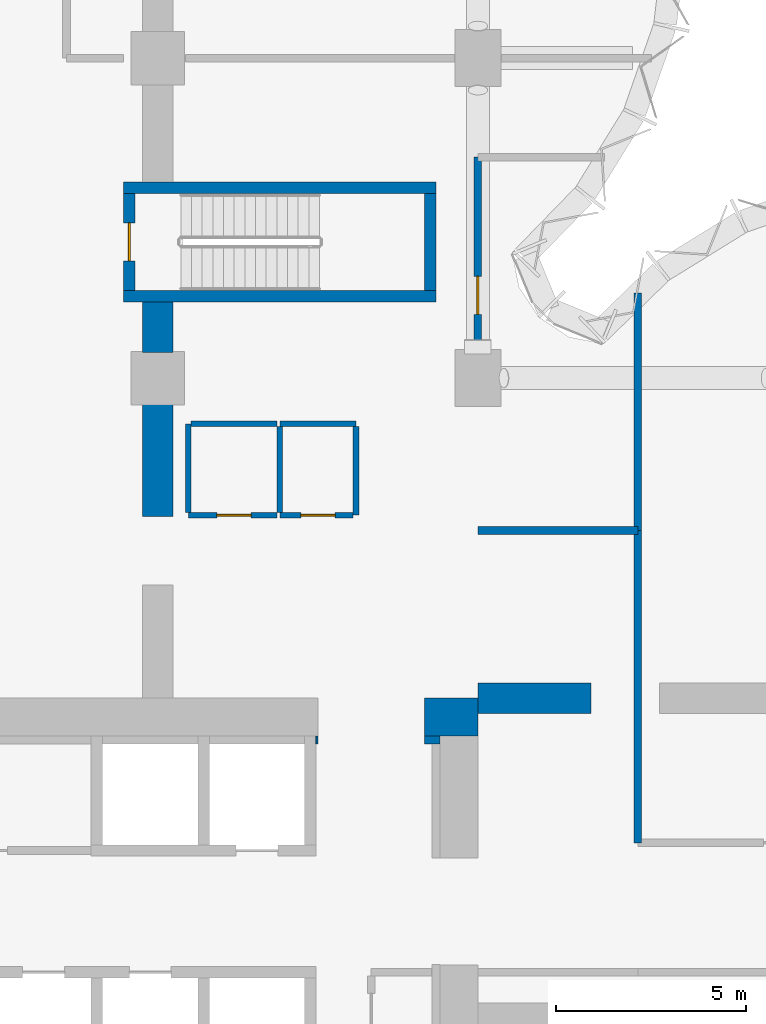
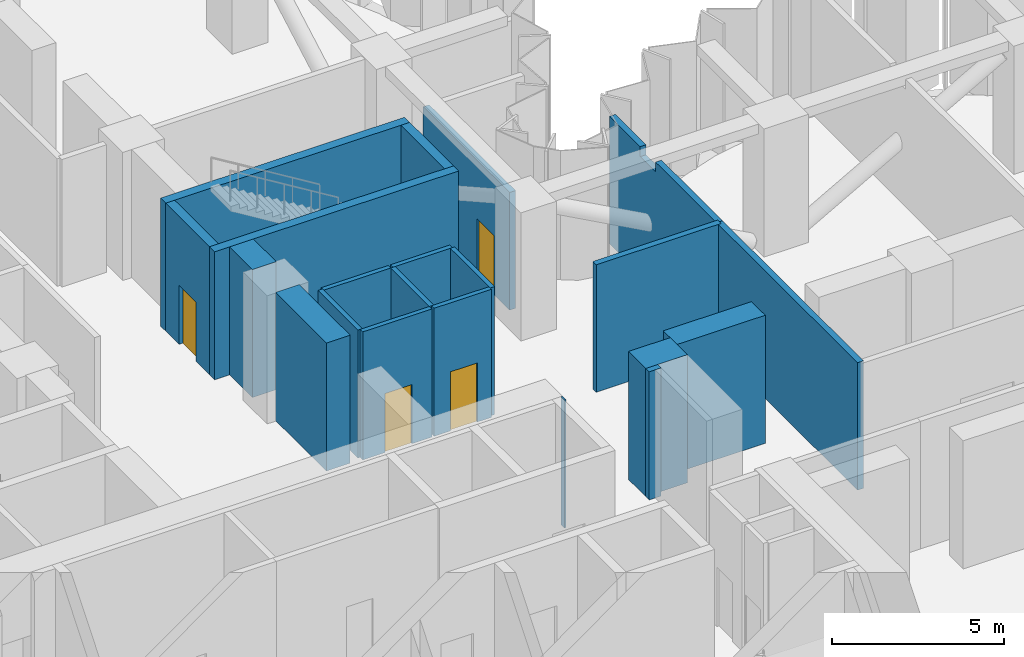
# One storey, part 11 of 18: 21 walls, 4 doors, 4 openings.
"""IFC4 building model written with IfcOpenShell, lengths in metres."""

from ifc_helpers import new_model, si_unit, direction, frame, frame_2d, origin, place, context, subcontext, project, spatial, polyline, rectangle, outline, extrude, material, layer, layer_set, type_object, element, fill, save


model = new_model("IFC4")

# Units and contexts
model_context = context("Model", 3, precision=1e-05, world=origin(), true_north=direction((0.0, 1.0)))
body_context = subcontext(model_context, "Body", "Model", "MODEL_VIEW")
ifc_project = project(units=[si_unit("LENGTHUNIT", "METRE"), si_unit("AREAUNIT", "SQUARE_METRE"), si_unit("VOLUMEUNIT", "CUBIC_METRE"), si_unit("PLANEANGLEUNIT", "RADIAN"), si_unit("MASSUNIT", "GRAM", prefix="KILO")], contexts=[model_context])

# Site, building, storey
site_placement = place(None, origin())
site = spatial("IfcSite", under=ifc_project, at=site_placement, CompositionType="ELEMENT")
building_placement = place(site_placement, origin())
building = spatial("IfcBuilding", under=site, at=building_placement, Name="Brevane Broadcast Tower", CompositionType="ELEMENT")
storey_placement = place(building_placement, frame((0.0, 0.0, 86.89990234375)))
storey = spatial("IfcBuildingStorey", under=building, at=storey_placement, Name="L20", CompositionType="ELEMENT", Elevation=86.89990234375)

# Walls
ifc_material_1 = material(Name="Concrete C32/40", Category="concrete")
ifc_layer_1 = layer(ifc_material_1, 0.199951171875)
ifc_layer_set_1 = layer_set([ifc_layer_1], Name="Core chase wall 200 mm")
wall_type_1 = type_object("IfcWallType", Name="Core chase wall 200 mm", PredefinedType="PARTITIONING", material=ifc_layer_set_1)
wall_1_placement = place(storey_placement, frame((23.800048828125, 15.699951171875, 0.0), z_axis=(0.0, 0.0, 1.0), x_axis=(1.0, 0.0, 0.0)))
element("IfcWall", 1, at=wall_1_placement, inside=storey, type_object=wall_type_1, Name="L20 chase wall LN2", PredefinedType="PARTITIONING", context=body_context, shape_type="SweptSolid", body=[
    extrude(rectangle(XDim=0.39990234375, YDim=0.199951171875, at=frame_2d((0.199951171875, 0.0))), origin(), (0.0, 0.0, 1.0), 4.550048828125),
])
wall_2_placement = place(storey_placement, frame((20.949951171875, 15.699951171875, 0.0), z_axis=(0.0, 0.0, 1.0), x_axis=(1.0, 0.0, 0.0)))
element("IfcWall", 2, at=wall_2_placement, inside=storey, type_object=wall_type_1, Name="L20 chase wall LN1-2-2-2-2", PredefinedType="PARTITIONING", context=body_context, shape_type="SweptSolid", body=[
    extrude(rectangle(XDim=0.050048828125, YDim=0.199951171875, at=frame_2d((0.02490234375, 0.0))), origin(), (0.0, 0.0, 1.0), 4.550048828125),
])
ifc_material_2 = material(Name="Gypsum board on steel studs", Category="steel")
ifc_layer_2 = layer(ifc_material_2, 0.14990234375)
ifc_layer_set_2 = layer_set([ifc_layer_2], Name="Core fire partition 150 mm")
wall_type_2 = type_object("IfcWallType", Name="Core fire partition 150 mm", PredefinedType="PARTITIONING", material=ifc_layer_set_2)
wall_3_placement = place(storey_placement, frame((20.0, 24.0, 0.0), z_axis=(0.0, 0.0, 1.0), x_axis=(1.0, 0.0, 0.0)))
element("IfcWall", 3, at=wall_3_placement, inside=storey, type_object=wall_type_2, Name="L20 partition wall P15", PredefinedType="PARTITIONING", context=body_context, shape_type="SweptSolid", body=[
    extrude(rectangle(XDim=2.0, YDim=0.14990234375, at=frame_2d((1.0, 0.0))), origin(), (0.0, 0.0, 1.0), 4.550048828125),
])
wall_4_placement = place(storey_placement, frame((22.0, 23.925048828125, 0.0), z_axis=(0.0, 0.0, 1.0), x_axis=(0.0, -1.0, 0.0)))
element("IfcWall", 4, at=wall_4_placement, inside=storey, type_object=wall_type_2, Name="L20 partition wall P16", PredefinedType="PARTITIONING", context=body_context, shape_type="SweptSolid", body=[
    extrude(rectangle(XDim=2.324951171875, YDim=0.14990234375, at=frame_2d((1.16259765625, 0.0))), origin(), (0.0, 0.0, 1.0), 4.550048828125),
])

# Wall, opening, door
wall_5_placement = place(storey_placement, frame((21.925048828125, 21.60009765625, 0.0), z_axis=(0.0, 0.0, 1.0), x_axis=(-1.0, 0.0, 0.0)))
wall_5 = element("IfcWall", 5, at=wall_5_placement, inside=storey, type_object=wall_type_2, Name="L20 partition wall P17", PredefinedType="PARTITIONING", context=body_context, shape_type="SweptSolid", body=[
    extrude(rectangle(XDim=1.925048828125, YDim=0.14990234375, at=frame_2d((0.96240234375, 0.0))), origin(), (0.0, 0.0, 1.0), 4.550048828125),
])
opening_1_placement = place(wall_5_placement, frame((0.47509765625, 0.0, 0.0)))
opening_1 = element("IfcOpeningElement", 6, at=opening_1_placement, cuts=wall_5, Name="Opening L20-K24", PredefinedType="OPENING", context=body_context, shape_type="SweptSolid", body=[
    extrude(rectangle(XDim=0.89990234375, YDim=2.10009765625, at=frame_2d((0.449951171875, 1.050048828125))), frame((0.0, 0.0849609375, 0.0), z_axis=(0.0, -1.0, 0.0), x_axis=(1.0, 0.0, 0.0)), (0.0, 0.0, 1.0), 0.169921875),
])
ifc_material_3 = material(Name="Timber", Category="wood")
door_type_1 = type_object("IfcDoorType", Name="Toilet door 900 x 2100", OperationType="SINGLE_SWING_LEFT", PredefinedType="DOOR", material=ifc_material_3)
door_1_placement = place(opening_1_placement, origin())
door_1 = element("IfcDoor", 7, at=door_1_placement, inside=storey, type_object=door_type_1, Name="Door L20-K24", OperationType="SINGLE_SWING_RIGHT", OverallHeight=2.10009765625, OverallWidth=0.89990234375, PredefinedType="DOOR", context=body_context, shape_type="SweptSolid", body=[
    extrude(rectangle(XDim=0.89990234375, YDim=2.10009765625, at=frame_2d((0.449951171875, 1.050048828125))), frame((0.0, 0.02490234375, 0.0), z_axis=(0.0, -1.0, 0.0), x_axis=(1.0, 0.0, 0.0)), (0.0, 0.0, 1.0), 0.050048828125),
])
fill(opening_1, door_1)

# Wall
wall_6_placement = place(storey_placement, frame((20.0, 21.675048828125, 0.0), z_axis=(0.0, 0.0, 1.0), x_axis=(0.0, 1.0, 0.0)))
element("IfcWall", 8, at=wall_6_placement, inside=storey, type_object=wall_type_2, Name="L20 partition wall P18", PredefinedType="PARTITIONING", context=body_context, shape_type="SweptSolid", body=[
    extrude(rectangle(XDim=2.25, YDim=0.14990234375, at=frame_2d((1.125, 0.0))), origin(), (0.0, 0.0, 1.0), 4.550048828125),
])

# Wall, opening, door
wall_7_placement = place(storey_placement, frame((19.925048828125, 21.60009765625, 0.0), z_axis=(0.0, 0.0, 1.0), x_axis=(-1.0, 0.0, 0.0)))
wall_7 = element("IfcWall", 9, at=wall_7_placement, inside=storey, type_object=wall_type_2, Name="L20 partition wall P19", PredefinedType="PARTITIONING", context=body_context, shape_type="SweptSolid", body=[
    extrude(rectangle(XDim=2.324951171875, YDim=0.14990234375, at=frame_2d((1.16259765625, 0.0))), origin(), (0.0, 0.0, 1.0), 4.550048828125),
])
opening_2_placement = place(wall_7_placement, frame((0.675048828125, 0.0, 0.0)))
opening_2 = element("IfcOpeningElement", 10, at=opening_2_placement, cuts=wall_7, Name="Opening L20-K25", PredefinedType="OPENING", context=body_context, shape_type="SweptSolid", body=[
    extrude(rectangle(XDim=0.89990234375, YDim=2.10009765625, at=frame_2d((0.449951171875, 1.050048828125))), frame((0.0, 0.0849609375, 0.0), z_axis=(0.0, -1.0, 0.0), x_axis=(1.0, 0.0, 0.0)), (0.0, 0.0, 1.0), 0.169921875),
])
ifc_material_4 = material(Name="Steel", Category="steel")
door_type_2 = type_object("IfcDoorType", Name="Service room door 900 x 2100", OperationType="SINGLE_SWING_LEFT", PredefinedType="DOOR", material=ifc_material_4)
door_2_placement = place(opening_2_placement, origin())
door_2 = element("IfcDoor", 11, at=door_2_placement, inside=storey, type_object=door_type_2, Name="Door L20-K25", OperationType="SINGLE_SWING_LEFT", OverallHeight=2.10009765625, OverallWidth=0.89990234375, PredefinedType="DOOR", context=body_context, shape_type="SweptSolid", body=[
    extrude(rectangle(XDim=0.89990234375, YDim=2.10009765625, at=frame_2d((0.449951171875, 1.050048828125))), frame((0.0, 0.02490234375, 0.0), z_axis=(0.0, -1.0, 0.0), x_axis=(1.0, 0.0, 0.0)), (0.0, 0.0, 1.0), 0.050048828125),
])
fill(opening_2, door_2)

# Walls
wall_8_placement = place(storey_placement, frame((17.60009765625, 21.675048828125, 0.0), z_axis=(0.0, 0.0, 1.0), x_axis=(0.0, 1.0, 0.0)))
element("IfcWall", 12, at=wall_8_placement, inside=storey, type_object=wall_type_2, Name="L20 partition wall P20", PredefinedType="PARTITIONING", context=body_context, shape_type="SweptSolid", body=[
    extrude(rectangle(XDim=2.324951171875, YDim=0.14990234375, at=frame_2d((1.16259765625, 0.0))), origin(), (0.0, 0.0, 1.0), 4.550048828125),
])
wall_9_placement = place(storey_placement, frame((17.675048828125, 24.0, 0.0), z_axis=(0.0, 0.0, 1.0), x_axis=(1.0, 0.0, 0.0)))
element("IfcWall", 13, at=wall_9_placement, inside=storey, type_object=wall_type_2, Name="L20 partition wall P21", PredefinedType="PARTITIONING", context=body_context, shape_type="SweptSolid", body=[
    extrude(rectangle(XDim=2.25, YDim=0.14990234375, at=frame_2d((1.125, 0.0))), origin(), (0.0, 0.0, 1.0), 4.550048828125),
])
ifc_material_5 = material(Name="Concrete C80/95", Category="concrete")
ifc_layer_3 = layer(ifc_material_5, 1.0)
ifc_layer_set_3 = layer_set([ifc_layer_3], Name="Core wall 1000 mm C80/95")
wall_type_3 = type_object("IfcWallType", Name="Core wall 1000 mm C80/95", PredefinedType="SHEAR", material=ifc_layer_set_3)
wall_10_placement = place(storey_placement, frame((23.800048828125, 16.300048828125, 0.0), z_axis=(0.0, 0.0, 1.0), x_axis=(1.0, 0.0, 0.0)))
element("IfcWall", 14, at=wall_10_placement, inside=storey, type_object=wall_type_3, Name="L20 outer wall WN2", PredefinedType="SHEAR", context=body_context, shape_type="SweptSolid", body=[
    extrude(rectangle(XDim=1.39990234375, YDim=1.0, at=frame_2d((0.699951171875, 0.0))), origin(), (0.0, 0.0, 1.0), 4.550048828125),
])
ifc_layer_4 = layer(ifc_material_5, 0.300048828125)
ifc_layer_set_4 = layer_set([ifc_layer_4], Name="Core wall 300 mm C80/95")
wall_type_4 = type_object("IfcWallType", Name="Core wall 300 mm C80/95", PredefinedType="SHEAR", material=ifc_layer_set_4)
for number, where, z_axis, x_axis, name in (
    (15, (15.89990234375, 27.35009765625, 0.0), (0.0, 0.0, 1.0), (1.0, 0.0, 0.0), "L20 stair wall ST-3-S"),
    (16, (15.89990234375, 30.199951171875, 0.0), (0.0, 0.0, 1.0), (1.0, 0.0, 0.0), "L20 stair wall ST-3-N"),
):
    element("IfcWall", number, at=place(storey_placement, frame(where, z_axis=z_axis, x_axis=x_axis)), inside=storey, type_object=wall_type_4, Name=name, PredefinedType="SHEAR", context=body_context, shape_type="SweptSolid", body=[
        extrude(rectangle(XDim=8.2001953125, YDim=0.300048828125, at=frame_2d((4.10009765625, 0.0))), origin(), (0.0, 0.0, 1.0), 4.550048828125),
    ])

# Wall, opening, door
wall_11_placement = place(storey_placement, frame((16.050048828125, 27.5, 0.0), z_axis=(0.0, 0.0, 1.0), x_axis=(0.0, 1.0, 0.0)))
wall_11 = element("IfcWall", 17, at=wall_11_placement, inside=storey, type_object=wall_type_4, Name="L20 stair wall ST-3-W", PredefinedType="SHEAR", context=body_context, shape_type="SweptSolid", body=[
    extrude(rectangle(XDim=2.550048828125, YDim=0.300048828125, at=frame_2d((1.27490234375, 0.0))), origin(), (0.0, 0.0, 1.0), 4.550048828125),
])
opening_3_placement = place(wall_11_placement, frame((0.77490234375, 0.0, 0.0)))
opening_3 = element("IfcOpeningElement", 18, at=opening_3_placement, cuts=wall_11, Name="Opening L20-K14", PredefinedType="OPENING", context=body_context, shape_type="SweptSolid", body=[
    extrude(rectangle(XDim=1.0, YDim=2.10009765625, at=frame_2d((0.5, 1.050048828125))), frame((0.0, 0.159912109375, 0.0), z_axis=(0.0, -1.0, 0.0), x_axis=(1.0, 0.0, 0.0)), (0.0, 0.0, 1.0), 0.320068359375),
])
door_type_3 = type_object("IfcDoorType", Name="Stair door 1000 x 2100", OperationType="SINGLE_SWING_LEFT", PredefinedType="DOOR", material=ifc_material_4)
door_3_placement = place(opening_3_placement, origin())
door_3 = element("IfcDoor", 19, at=door_3_placement, inside=storey, type_object=door_type_3, Name="Door L20-K14", OperationType="SINGLE_SWING_RIGHT", OverallHeight=2.10009765625, OverallWidth=1.0, PredefinedType="DOOR", context=body_context, shape_type="SweptSolid", body=[
    extrude(rectangle(XDim=1.0, YDim=2.10009765625, at=frame_2d((0.5, 1.050048828125))), frame((0.0, 0.02490234375, 0.0), z_axis=(0.0, -1.0, 0.0), x_axis=(1.0, 0.0, 0.0)), (0.0, 0.0, 1.0), 0.050048828125),
])
fill(opening_3, door_3)

# Walls
wall_12_placement = place(storey_placement, frame((23.949951171875, 27.5, 0.0), z_axis=(0.0, 0.0, 1.0), x_axis=(0.0, 1.0, 0.0)))
element("IfcWall", 20, at=wall_12_placement, inside=storey, type_object=wall_type_4, Name="L20 stair wall ST-3-E", PredefinedType="SHEAR", context=body_context, shape_type="SweptSolid", body=[
    extrude(rectangle(XDim=2.550048828125, YDim=0.300048828125, at=frame_2d((1.27490234375, 0.0))), origin(), (0.0, 0.0, 1.0), 4.550048828125),
])
ifc_material_6 = material(Name="Gypsum board partition")
ifc_layer_5 = layer(ifc_material_6, 0.199951171875)
ifc_layer_set_5 = layer_set([ifc_layer_5], Name="PARTITION 200 EI 120")
wall_type_5 = type_object("IfcWallType", Name="PARTITION 200 EI 120", PredefinedType="PARTITIONING", material=ifc_layer_set_5)
wall_13_placement = place(storey_placement, frame((25.199951171875, 21.199951171875, 0.0), z_axis=(0.0, 0.0, 1.0), x_axis=(1.0, 0.0, 0.0)))
element("IfcWall", 21, at=wall_13_placement, inside=storey, type_object=wall_type_5, Name="Partition R1-001", PredefinedType="PARTITIONING", context=body_context, shape_type="SweptSolid", body=[
    extrude(rectangle(XDim=4.199951171875, YDim=0.199951171875, at=frame_2d((2.10009765625, 0.0))), origin(), (0.0, 0.0, 1.0), 4.530029296875),
])
wall_14_placement = place(storey_placement, frame((29.39990234375, 21.199951171875, 0.0), z_axis=(0.0, 0.0, 1.0), x_axis=(0.0, -1.0, 0.0)))
element("IfcWall", 22, at=wall_14_placement, inside=storey, type_object=wall_type_5, Name="Partition R1-003", PredefinedType="PARTITIONING", context=body_context, shape_type="SweptSolid", body=[
    extrude(rectangle(XDim=8.199951171875, YDim=0.199951171875, at=frame_2d((4.10009765625, 0.0))), origin(), (0.0, 0.0, 1.0), 4.530029296875),
])
wall_15_placement = place(storey_placement, frame((29.39990234375, 27.435546875, 0.0), z_axis=(0.0, 0.0, 1.0), x_axis=(0.0, -1.0, 0.0)))
element("IfcWall", 23, at=wall_15_placement, inside=storey, type_object=wall_type_5, Name="Partition R1-004", PredefinedType="PARTITIONING", context=body_context, shape_type="SweptSolid", body=[
    extrude(outline(polyline([(0.0, 0.0), (6.235595703125, 0.0), (6.235595703125, 4.530029296875), (2.685546875, 4.530029296875), (2.68359375, 4.18017578125), (1.78759765625, 4.18017578125), (1.78564453125, 4.530029296875), (0.16064453125, 4.530029296875), (0.0, 4.530029296875), (0.0, 0.0)])), frame((0.0, 0.10009765625, 0.0), z_axis=(0.0, -1.0, 0.0), x_axis=(1.0, 0.0, 0.0)), (0.0, 0.0, 1.0), 0.199951171875),
])

# Wall, opening, door
wall_16_placement = place(storey_placement, frame((25.199951171875, 31.0, 0.0), z_axis=(0.0, 0.0, 1.0), x_axis=(0.0, -1.0, 0.0)))
wall_16 = element("IfcWall", 24, at=wall_16_placement, inside=storey, type_object=wall_type_5, Name="Partition R1-005", PredefinedType="PARTITIONING", context=body_context, shape_type="SweptSolid", body=[
    extrude(outline(polyline([(0.0, 0.0), (5.030029296875, 0.0), (5.030029296875, 4.18017578125), (0.0, 4.18017578125), (0.0, 0.0)])), frame((0.0, 0.10009765625, 0.0), z_axis=(0.0, -1.0, 0.0), x_axis=(1.0, 0.0, 0.0)), (0.0, 0.0, 1.0), 0.199951171875),
])
opening_4_placement = place(wall_16_placement, frame((3.1298828125, 0.0, 0.0)))
opening_4 = element("IfcOpeningElement", 25, at=opening_4_placement, cuts=wall_16, Name="Opening D12-001", PredefinedType="OPENING", context=body_context, shape_type="SweptSolid", body=[
    extrude(rectangle(XDim=1.0, YDim=2.10009765625, at=frame_2d((0.5, 1.050048828125))), frame((0.0, 0.10986328125, 0.0), z_axis=(0.0, -1.0, 0.0), x_axis=(1.0, 0.0, 0.0)), (0.0, 0.0, 1.0), 0.219970703125),
])
ifc_material_7 = material(Name="Fire-rated timber door leaf", Category="wood")
door_type_4 = type_object("IfcDoorType", Name="DOOR SINGLE 1000 FD60", OperationType="SINGLE_SWING_LEFT", PredefinedType="DOOR", material=ifc_material_7)
door_4_placement = place(opening_4_placement, origin())
door_4 = element("IfcDoor", 26, at=door_4_placement, inside=storey, type_object=door_type_4, Name="Door D12-001", OperationType="SINGLE_SWING_RIGHT", OverallHeight=2.10009765625, OverallWidth=1.0, PredefinedType="DOOR", context=body_context, shape_type="SweptSolid", body=[
    extrude(rectangle(XDim=1.0, YDim=2.10009765625, at=frame_2d((0.5, 1.050048828125))), frame((0.0, 0.02490234375, 0.0), z_axis=(0.0, -1.0, 0.0), x_axis=(1.0, 0.0, 0.0)), (0.0, 0.0, 1.0), 0.050048828125),
])
fill(opening_4, door_4)

# Walls
ifc_material_8 = material(Name="Concrete C60/75", Category="concrete")
ifc_layer_6 = layer(ifc_material_8, 0.800048828125)
ifc_layer_set_6 = layer_set([ifc_layer_6], Name="RC OUTRIGGER WALL 800 C60/75")
wall_type_6 = type_object("IfcWallType", Name="RC OUTRIGGER WALL 800 C60/75", PredefinedType="SHEAR", material=ifc_layer_set_6)
for number, where, z_axis, x_axis, name in (
    (27, (25.199951171875, 16.800048828125, 0.0), (0.0, 0.0, 1.0), (1.0, 0.0, 0.0), "OR1 L20-11"),
    (28, (16.800048828125, 21.56494140625, 0.0), (0.0, 0.0, 1.0), (0.0, 1.0, 0.0), "OR1 L20-34"),
):
    element("IfcWall", number, at=place(storey_placement, frame(where, z_axis=z_axis, x_axis=x_axis)), inside=storey, type_object=wall_type_6, Name=name, PredefinedType="SHEAR", context=body_context, shape_type="SweptSolid", body=[
        extrude(rectangle(XDim=2.965087890625, YDim=0.800048828125, at=frame_2d((1.482421875, 0.0))), origin(), (0.0, 0.0, 1.0), 4.550048828125),
    ])
wall_17_placement = place(storey_placement, frame((16.800048828125, 25.8701171875, 0.0), z_axis=(0.0, 0.0, 1.0), x_axis=(0.0, 1.0, 0.0)))
element("IfcWall", 29, at=wall_17_placement, inside=storey, type_object=wall_type_6, Name="OR1 L20-36", PredefinedType="SHEAR", context=body_context, shape_type="SweptSolid", body=[
    extrude(rectangle(XDim=1.329833984375, YDim=0.800048828125, at=frame_2d((0.6650390625, 0.0))), origin(), (0.0, 0.0, 1.0), 4.550048828125),
])

save(model, "model.ifc")
